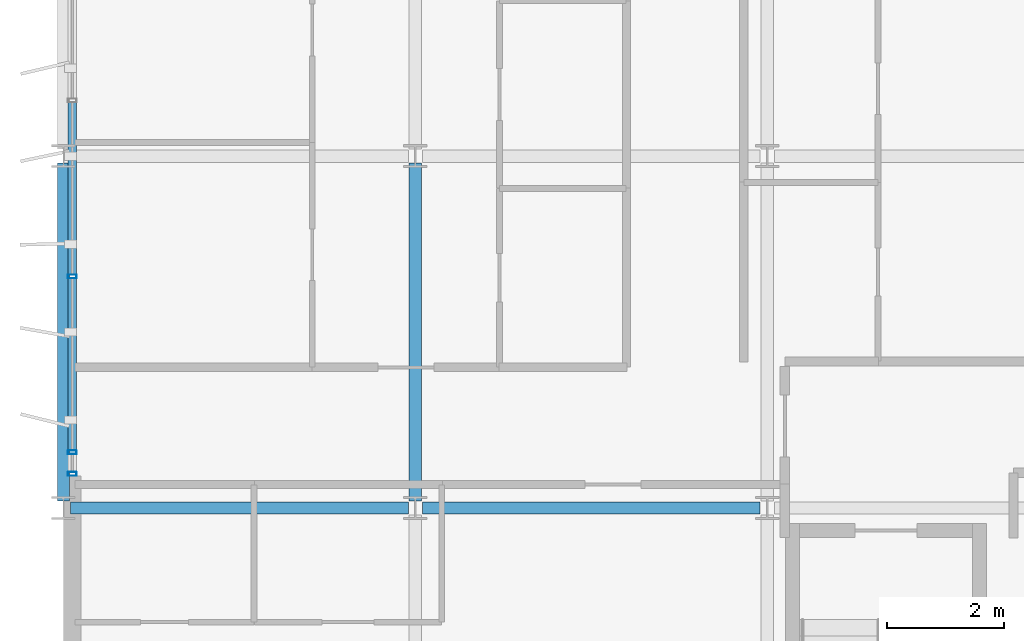
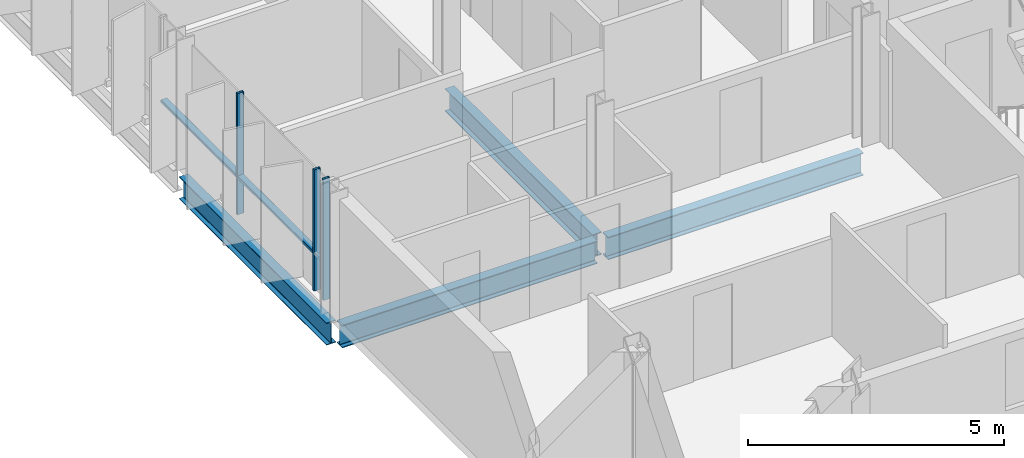
# One storey, part 3 of 28: 5 members, 4 beams, 1 element without a shape of its own.
"""IFC4 building model written with IfcOpenShell, lengths in metres."""

from ifc_helpers import new_model, si_unit, direction, frame, origin, origin_2d, place, context, subcontext, project, spatial, hollow_rectangle, i_section, extrude, material, layer, layer_set, material_profile, profile_set, type_object, element, aggregate, save


model = new_model("IFC4")

# Units and contexts
model_context = context("Model", 3, precision=1e-05, world=origin(), true_north=direction((0.0, 1.0)))
body_context = subcontext(model_context, "Body", "Model", "MODEL_VIEW")
ifc_project = project(units=[si_unit("LENGTHUNIT", "METRE"), si_unit("AREAUNIT", "SQUARE_METRE"), si_unit("VOLUMEUNIT", "CUBIC_METRE"), si_unit("PLANEANGLEUNIT", "RADIAN"), si_unit("MASSUNIT", "GRAM", prefix="KILO")], contexts=[model_context])

# Site, building, storey
site_placement = place(None, origin())
site = spatial("IfcSite", under=ifc_project, at=site_placement, CompositionType="ELEMENT")
building_placement = place(site_placement, origin())
building = spatial("IfcBuilding", under=site, at=building_placement, Name="Brevholm Reach", CompositionType="ELEMENT")
storey_placement = place(building_placement, frame((0.0, 0.0, 192.5)))
storey = spatial("IfcBuildingStorey", under=building, at=storey_placement, Name="L58", CompositionType="ELEMENT", Elevation=192.5)

# Beams
ifc_material_1 = material(Name="Structural Steel S355J2", Category="steel")
ifc_material_profile_1 = material_profile(ifc_material_1, i_section(OverallWidth=0.209228515625, OverallDepth=0.533203125, WebThickness=0.010009765625, FlangeThickness=0.015625, FilletRadius=0.0126953125, at=origin_2d()), Name="UKB 533x210x92")
ifc_profile_set_1 = profile_set([ifc_material_profile_1], Name="Structural Steel S355J2")
beam_type_1 = type_object("IfcBeamType", Name="BM-SP533", PredefinedType="SPANDREL", material=ifc_profile_set_1)
beam_placement = place(storey_placement, frame((0.0, 10.1201171875, -0.4765625), z_axis=(0.0, 1.0, 0.0), x_axis=(-1.0, 0.0, 0.0)))
element("IfcBeam", 1, at=beam_placement, inside=storey, type_object=beam_type_1, Name="L58 SP-02 Framing Beam", PredefinedType="SPANDREL", context=body_context, shape_type="SweptSolid", body=[
    extrude(i_section(OverallWidth=0.209228515625, OverallDepth=0.533203125, WebThickness=0.010009765625, FlangeThickness=0.015625, FilletRadius=0.0126953125, at=origin_2d()), origin(), (0.0, 0.0, 1.0), 5.759765625),
])
ifc_material_2 = material(Name="Structural Steel S355J2", Category="steel")
ifc_material_profile_2 = material_profile(ifc_material_2, i_section(OverallWidth=0.210693359375, OverallDepth=0.53955078125, WebThickness=0.01171875, FlangeThickness=0.018798828125, FilletRadius=0.0126953125, at=origin_2d()), Name="UKB 533x210x109")
ifc_profile_set_2 = profile_set([ifc_material_profile_2], Name="Structural Steel S355J2")
beam_type_2 = type_object("IfcBeamType", Name="BM-SP539", PredefinedType="SPANDREL", material=ifc_profile_set_2)
for number, where, z_axis, x_axis, name in (
    (2, (0.1201171875, 10.0, -0.479736328125), (1.0, 0.0, 0.0), (0.0, 1.0, 0.0), "L58 SP-01B Framing Beam"),
    (3, (6.1201171875, 10.0, -0.479736328125), (1.0, 0.0, 0.0), (0.0, 1.0, 0.0), "L58 SP-01B Framing Beam"),
    (4, (6.0, 10.1201171875, -0.479736328125), (0.0, 1.0, 0.0), (-1.0, 0.0, 0.0), "L58 SP-01B Framing Beam"),
):
    element("IfcBeam", number, at=place(storey_placement, frame(where, z_axis=z_axis, x_axis=x_axis)), inside=storey, type_object=beam_type_2, Name=name, PredefinedType="SPANDREL", context=body_context, shape_type="SweptSolid", body=[
        extrude(i_section(OverallWidth=0.210693359375, OverallDepth=0.53955078125, WebThickness=0.01171875, FlangeThickness=0.018798828125, FilletRadius=0.0126953125, at=origin_2d()), origin(), (0.0, 0.0, 1.0), 5.759765625),
    ])

# Curtain wall, members
ifc_material_3 = material(Name="Dark Anodised Aluminium 6063-T6 and Solar-Control Glass", Category="aluminium")
ifc_layer = layer(ifc_material_3, 0.14990234375)
ifc_layer_set = layer_set([ifc_layer], Name="Dark Anodised Aluminium 6063-T6 and Solar-Control Glass")
curtain_wall_type = type_object("IfcCurtainWallType", Name="CW-01", PredefinedType="NOTDEFINED", material=ifc_layer_set)
curtain_wall_placement = place(storey_placement, origin())
curtain_wall = element("IfcCurtainWall", 5, at=curtain_wall_placement, inside=storey, type_object=curtain_wall_type, Name="L58 Curtain Wall CW-01", PredefinedType="NOTDEFINED")
ifc_material_4 = material(Name="Dark Anodised Aluminium 6063-T6", Category="aluminium")
ifc_material_profile_3 = material_profile(ifc_material_4, hollow_rectangle(XDim=0.06494140625, YDim=0.14990234375, WallThickness=0.0048828125, InnerFilletRadius=0.0048828125, OuterFilletRadius=0.010009765625, at=origin_2d()), Name="RHS 150x65x5")
ifc_profile_set_3 = profile_set([ifc_material_profile_3], Name="Dark Anodised Aluminium 6063-T6")
member_type_1 = type_object("IfcMemberType", Name="CWM-150", PredefinedType="MULLION", material=ifc_profile_set_3)
member_1_placement = place(storey_placement, frame((0.14990234375, 13.949951171875, 0.0), z_axis=(0.0, 0.0, 1.0), x_axis=(0.0, -1.0, 0.0)))
member_1 = element("IfcMember", 6, at=member_1_placement, type_object=member_type_1, Name="CM-150 Mullion 4", PredefinedType="MULLION", context=body_context, shape_type="SweptSolid", body=[
    extrude(hollow_rectangle(XDim=0.06494140625, YDim=0.14990234375, WallThickness=0.0048828125, InnerFilletRadius=0.0048828125, OuterFilletRadius=0.010009765625, at=origin_2d()), origin(), (0.0, 0.0, 1.0), 2.889892578125),
])
member_2_placement = place(storey_placement, frame((0.14990234375, 10.949951171875, 0.0), z_axis=(0.0, 0.0, 1.0), x_axis=(0.0, -1.0, 0.0)))
member_2 = element("IfcMember", 7, at=member_2_placement, type_object=member_type_1, Name="CM-150 Mullion 5", PredefinedType="MULLION", context=body_context, shape_type="SweptSolid", body=[
    extrude(hollow_rectangle(XDim=0.06494140625, YDim=0.14990234375, WallThickness=0.0048828125, InnerFilletRadius=0.0048828125, OuterFilletRadius=0.010009765625, at=origin_2d()), origin(), (0.0, 0.0, 1.0), 2.889892578125),
])
member_3_placement = place(storey_placement, frame((0.14990234375, 10.58251953125, 0.0), z_axis=(0.0, 0.0, 1.0), x_axis=(0.0, -1.0, 0.0)))
member_3 = element("IfcMember", 8, at=member_3_placement, type_object=member_type_1, Name="CM-150 Mullion 6", PredefinedType="MULLION", context=body_context, shape_type="SweptSolid", body=[
    extrude(hollow_rectangle(XDim=0.06494140625, YDim=0.14990234375, WallThickness=0.0048828125, InnerFilletRadius=0.0048828125, OuterFilletRadius=0.010009765625, at=origin_2d()), origin(), (0.0, 0.0, 1.0), 2.889892578125),
])
ifc_material_5 = material(Name="Dark Anodised Aluminium 6063-T6", Category="aluminium")
ifc_material_profile_4 = material_profile(ifc_material_5, hollow_rectangle(XDim=0.06494140625, YDim=0.14990234375, WallThickness=0.0048828125, InnerFilletRadius=0.0048828125, OuterFilletRadius=0.010009765625, at=origin_2d()), Name="RHS 150x65x5")
ifc_profile_set_4 = profile_set([ifc_material_profile_4], Name="Dark Anodised Aluminium 6063-T6")
member_type_2 = type_object("IfcMemberType", Name="CWT-150", PredefinedType="NOTDEFINED", material=ifc_profile_set_4)
member_4_placement = place(storey_placement, frame((0.14990234375, 16.91748046875, 0.89990234375), z_axis=(0.0, -1.0, 0.0), x_axis=(0.0, 0.0, 1.0)))
member_4 = element("IfcMember", 9, at=member_4_placement, type_object=member_type_2, Name="CT-150 Transom 3.1", ObjectType="TRANSOM", PredefinedType="USERDEFINED", context=body_context, shape_type="SweptSolid", body=[
    extrude(hollow_rectangle(XDim=0.06494140625, YDim=0.14990234375, WallThickness=0.0048828125, InnerFilletRadius=0.0048828125, OuterFilletRadius=0.010009765625, at=origin_2d()), origin(), (0.0, 0.0, 1.0), 2.93505859375),
])
member_5_placement = place(storey_placement, frame((0.14990234375, 13.91748046875, 0.89990234375), z_axis=(0.0, -1.0, 0.0), x_axis=(0.0, 0.0, 1.0)))
member_5 = element("IfcMember", 10, at=member_5_placement, type_object=member_type_2, Name="CT-150 Transom 4.1", ObjectType="TRANSOM", PredefinedType="USERDEFINED", context=body_context, shape_type="SweptSolid", body=[
    extrude(hollow_rectangle(XDim=0.06494140625, YDim=0.14990234375, WallThickness=0.0048828125, InnerFilletRadius=0.0048828125, OuterFilletRadius=0.010009765625, at=origin_2d()), origin(), (0.0, 0.0, 1.0), 2.93505859375),
])
aggregate(curtain_wall, [member_1, member_2, member_3, member_4, member_5])

save(model, "model.ifc")
